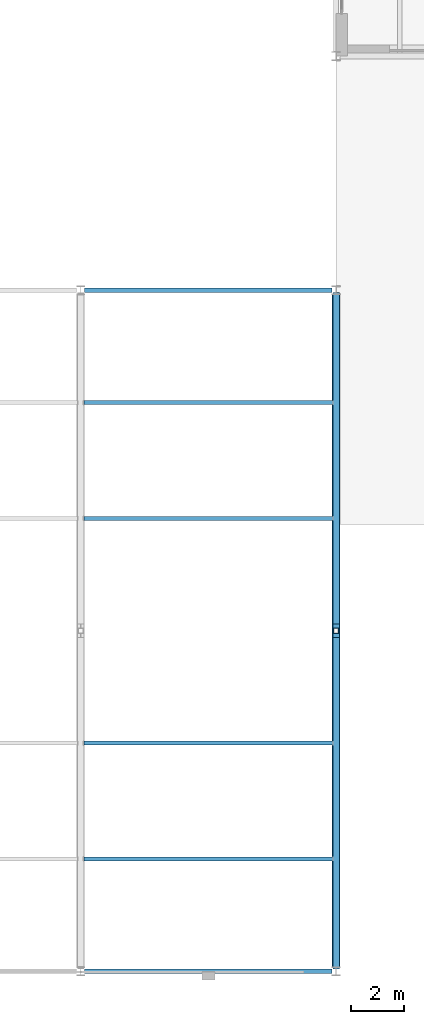
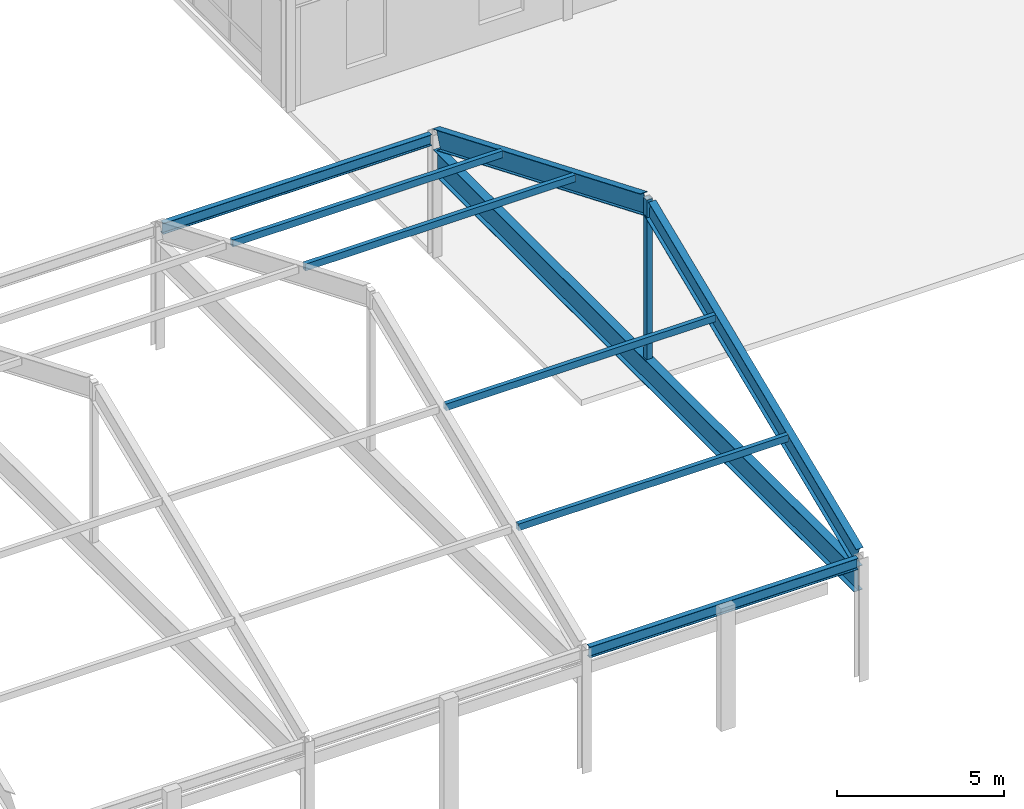
# One storey, part 24 of 88: 5 beams, 5 members.
"""IFC4 building model written with IfcOpenShell, lengths in metres."""

from ifc_helpers import new_model, si_unit, direction, frame, origin, origin_2d, place, context, subcontext, project, spatial, hollow_rectangle, i_section, extrude, material, material_profile, profile_set, type_object, element, save


model = new_model("IFC4")

# Units and contexts
model_context = context("Model", 3, precision=1e-05, world=origin(), true_north=direction((0.0, 1.0)))
body_context = subcontext(model_context, "Body", "Model", "MODEL_VIEW")
ifc_project = project(units=[si_unit("LENGTHUNIT", "METRE"), si_unit("AREAUNIT", "SQUARE_METRE"), si_unit("VOLUMEUNIT", "CUBIC_METRE"), si_unit("PLANEANGLEUNIT", "RADIAN"), si_unit("MASSUNIT", "GRAM", prefix="KILO")], contexts=[model_context])

# Site, building, storey
site_placement = place(None, origin())
site = spatial("IfcSite", under=ifc_project, at=site_placement, CompositionType="ELEMENT")
building_placement = place(site_placement, origin())
building = spatial("IfcBuilding", under=site, at=building_placement, Name="Sarnbrook Museum", CompositionType="ELEMENT")
storey_placement = place(building_placement, frame((0.0, 0.0, 10.10009765625)))
storey = spatial("IfcBuildingStorey", under=building, at=storey_placement, Name="L02", CompositionType="ELEMENT", Elevation=10.10009765625)

# Beams
ifc_material_1 = material(Name="Structural Steel Grade 350L0 (AS/NZS 3678, fy = 340 MPa for 20 < t <= 40 mm)", Category="steel")
ifc_material_profile_1 = material_profile(ifc_material_1, i_section(OverallWidth=0.25, OverallDepth=0.699951171875, WebThickness=0.010009765625, FlangeThickness=0.01611328125, at=origin_2d()), Name="700WB130")
ifc_profile_set_1 = profile_set([ifc_material_profile_1], Name="Structural Steel Grade 350L0 (AS/NZS 3678, fy = 340 MPa for 20 < t <= 40 mm)")
beam_type_1 = type_object("IfcBeamType", Name="BM-WB700", PredefinedType="BEAM", material=ifc_profile_set_1)
for number, where, z_axis, x_axis, name in (
    (1, (80.800048828125, 5.02001953125, 4.3798828125), (0.0, 0.923590091766, 0.38338145807), (-1.0, 0.0, 0.0), "Auditorium Roof Truss South Rafter X=80.8"),
    (2, (80.800048828125, 17.719970703125, 9.552001953125), (0.0, 0.923590091766, -0.38338145807), (-1.0, 0.0, 0.0), "Auditorium Roof Truss North Rafter X=80.8"),
):
    element("IfcBeam", number, at=place(storey_placement, frame(where, z_axis=z_axis, x_axis=x_axis)), inside=storey, type_object=beam_type_1, Name=name, PredefinedType="BEAM", context=body_context, shape_type="SweptSolid", body=[
        extrude(i_section(OverallWidth=0.25, OverallDepth=0.699951171875, WebThickness=0.010009765625, FlangeThickness=0.01611328125, at=origin_2d()), origin(), (0.0, 0.0, 1.0), 13.49072265625),
    ])
ifc_material_profile_2 = material_profile(ifc_material_1, i_section(OverallWidth=0.300048828125, OverallDepth=0.89990234375, WebThickness=0.011962890625, FlangeThickness=0.02001953125, at=origin_2d()), Name="900WB175")
ifc_profile_set_2 = profile_set([ifc_material_profile_2], Name="Structural Steel Grade 350L0 (AS/NZS 3678, fy = 340 MPa for 20 < t <= 40 mm)")
beam_type_2 = type_object("IfcBeamType", Name="BM-WB900", PredefinedType="BEAM", material=ifc_profile_set_2)
beam_placement = place(storey_placement, frame((80.800048828125, 4.969970703125, 3.5498046875), z_axis=(0.0, 1.0, 0.0), x_axis=(-1.0, 0.0, 0.0)))
element("IfcBeam", 3, at=beam_placement, inside=storey, type_object=beam_type_2, Name="Auditorium Roof Truss Bottom Chord X=80.8", PredefinedType="BEAM", context=body_context, shape_type="SweptSolid", body=[
    extrude(i_section(OverallWidth=0.300048828125, OverallDepth=0.89990234375, WebThickness=0.011962890625, FlangeThickness=0.02001953125, at=origin_2d()), origin(), (0.0, 0.0, 1.0), 25.260009765625),
])

# Members
ifc_material_2 = material(Name="Structural Steel Hollow Section Grade C350L0 (AS/NZS 1163, fy = 350 MPa)", Category="steel")
ifc_material_profile_3 = material_profile(ifc_material_2, hollow_rectangle(XDim=0.199951171875, YDim=0.199951171875, WallThickness=0.010009765625, at=origin_2d()), Name="200x200x10.0SHS")
ifc_profile_set_3 = profile_set([ifc_material_profile_3], Name="Structural Steel Hollow Section Grade C350L0 (AS/NZS 1163, fy = 350 MPa)")
member_type_1 = type_object("IfcMemberType", Name="CH-SHS200", PredefinedType="CHORD", material=ifc_profile_set_3)
member_placement = place(storey_placement, frame((80.800048828125, 17.60009765625, 3.97998046875), z_axis=(0.0, 0.0, 1.0), x_axis=(1.0, 0.0, 0.0)))
element("IfcMember", 4, at=member_placement, inside=storey, type_object=member_type_1, Name="Auditorium Truss Kingpost X=80.8", PredefinedType="CHORD", context=body_context, shape_type="SweptSolid", body=[
    extrude(hollow_rectangle(XDim=0.199951171875, YDim=0.199951171875, WallThickness=0.010009765625, at=origin_2d()), origin(), (0.0, 0.0, 1.0), 5.86181640625),
])
ifc_material_profile_4 = material_profile(ifc_material_2, hollow_rectangle(XDim=0.14990234375, YDim=0.25, WallThickness=0.009033203125, at=origin_2d()), Name="250x150x9.0RHS")
ifc_profile_set_4 = profile_set([ifc_material_profile_4], Name="Structural Steel Hollow Section Grade C350L0 (AS/NZS 1163, fy = 350 MPa)")
member_type_2 = type_object("IfcMemberType", Name="PR-RHS250", PredefinedType="PURLIN", material=ifc_profile_set_4)
for number, where, z_axis, x_axis, name in (
    (5, (71.320068359375, 9.02392578125, 6.32177734375), (1.0, 0.0, 0.0), (0.0, 1.0, 0.0), "Auditorium Roof Purlin S-4"),
    (6, (71.320068359375, 26.176025390625, 6.32177734375), (1.0, 0.0, 0.0), (0.0, 1.0, 0.0), "Auditorium Roof Purlin N-4"),
    (7, (71.320068359375, 13.3759765625, 8.080078125), (1.0, 0.0, 0.0), (0.0, 1.0, 0.0), "Auditorium Roof Purlin S-4"),
    (8, (71.320068359375, 21.823974609375, 8.080078125), (1.0, 0.0, 0.0), (0.0, 1.0, 0.0), "Auditorium Roof Purlin N-4"),
):
    element("IfcMember", number, at=place(storey_placement, frame(where, z_axis=z_axis, x_axis=x_axis)), inside=storey, type_object=member_type_2, Name=name, PredefinedType="PURLIN", context=body_context, shape_type="SweptSolid", body=[
        extrude(hollow_rectangle(XDim=0.14990234375, YDim=0.25, WallThickness=0.009033203125, at=origin_2d()), origin(), (0.0, 0.0, 1.0), 9.35986328125),
    ])

# Beams
ifc_material_3 = material(Name="Structural Steel Grade 300PLUS (AS/NZS 3679.1, fy = 280 MPa for 17 < t <= 40 mm, 300 MPa for t <= 17 mm)", Category="steel")
ifc_material_profile_5 = material_profile(ifc_material_3, i_section(OverallWidth=0.177978515625, OverallDepth=0.406005859375, WebThickness=0.0078125, FlangeThickness=0.0126953125, FilletRadius=0.011474609375, at=origin_2d()), Name="410UB59.7")
ifc_profile_set_5 = profile_set([ifc_material_profile_5], Name="Structural Steel Grade 300PLUS (AS/NZS 3679.1, fy = 280 MPa for 17 < t <= 40 mm, 300 MPa for t <= 17 mm)")
beam_type_3 = type_object("IfcBeamType", Name="SP-UB410", PredefinedType="SPANDREL", material=ifc_profile_set_5)
for number, where, z_axis, x_axis, name in (
    (9, (71.35009765625, 4.800048828125, 4.296875), (1.0, 0.0, 0.0), (0.0, 1.0, 0.0), "Auditorium Eaves Entablature Spandrel A:8-9 L02"),
    (10, (71.35009765625, 30.39990234375, 4.296875), (1.0, 0.0, 0.0), (0.0, 1.0, 0.0), "Auditorium Eaves Entablature Spandrel D:8-9 L02"),
):
    element("IfcBeam", number, at=place(storey_placement, frame(where, z_axis=z_axis, x_axis=x_axis)), inside=storey, type_object=beam_type_3, Name=name, PredefinedType="SPANDREL", context=body_context, shape_type="SweptSolid", body=[
        extrude(i_section(OverallWidth=0.177978515625, OverallDepth=0.406005859375, WebThickness=0.0078125, FlangeThickness=0.0126953125, FilletRadius=0.011474609375, at=origin_2d()), origin(), (0.0, 0.0, 1.0), 9.2998046875),
    ])

save(model, "model.ifc")
